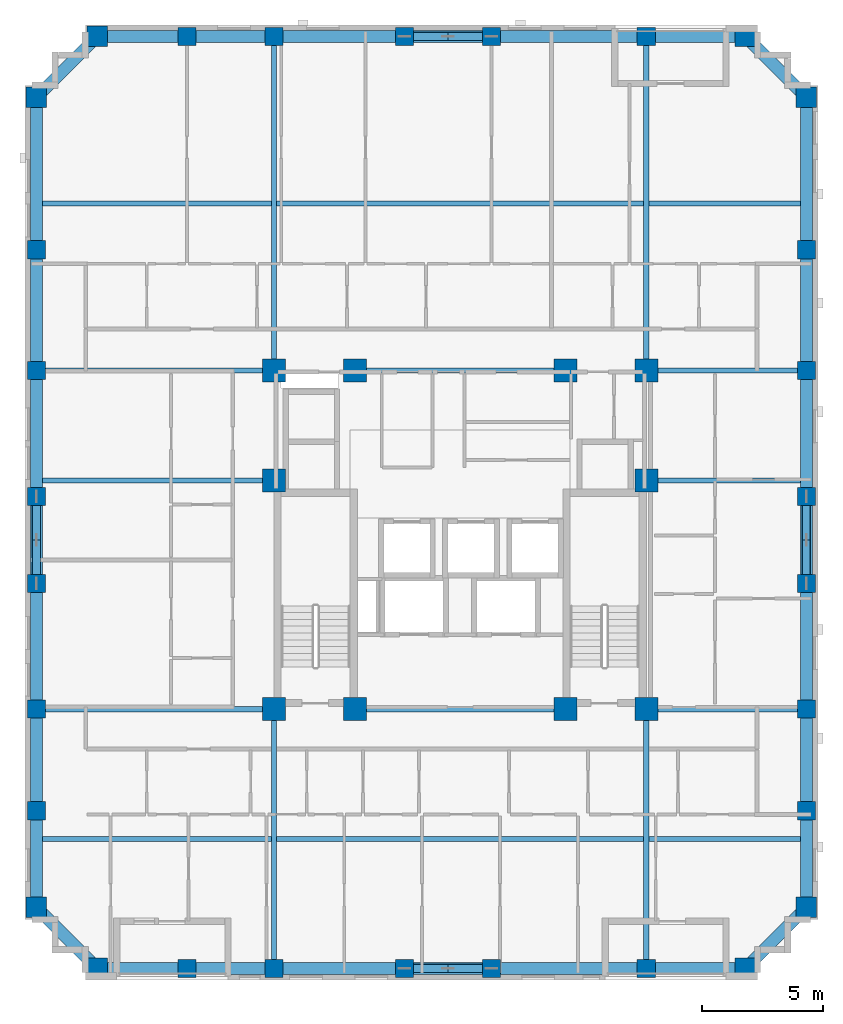
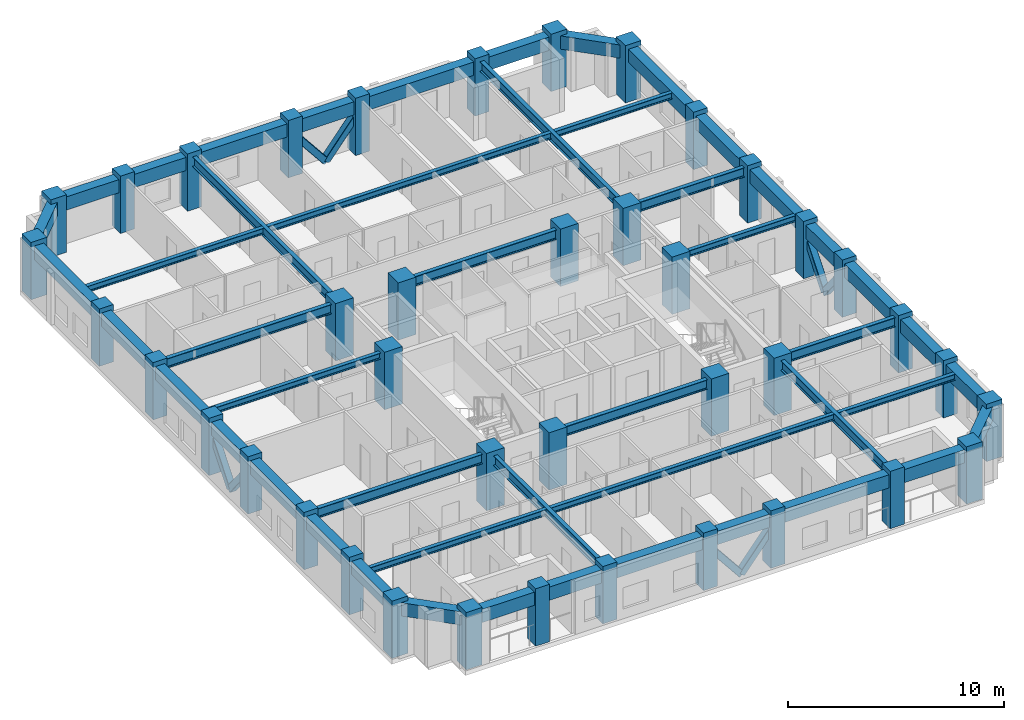
# One storey, part 1 of 12: 48 beams, 40 columns, 8 members.
"""IFC4 building model written with IfcOpenShell, lengths in metres."""

import ifcopenshell
import ifcopenshell.guid

model = None  # the IFC model being written
_history = None  # IfcOwnerHistory: only IFC2X3 demands one
_inside = {}  # id of a spatial element -> (the spatial element, [elements in it])
_under = {}  # id of a project, library or spatial element -> (it, [spatial elements below it])
_declared = {}  # id of a project -> (the project, [libraries it declares])
_typed = {}  # id of a type object -> (the type object, [elements of that type])
_made_of = {}  # id of a material, layer set ... -> (it, [elements and type objects made of it])


def new_model(schema):
    """Start an empty IFC model of exactly this schema.

    Asked for "IFC4X3", IfcOpenShell would pick the latest addendum, in which some entities
    have other attributes; the version numbers below select the first issue.
    IFC2X3 requires an IfcOwnerHistory on every rooted entity: one is made here for all.
    """
    global model, _history
    if schema == "IFC4X3":
        model = ifcopenshell.file(schema_version=(4, 3, 0, 0))
    else:
        model = ifcopenshell.file(schema=schema)
    _inside.clear()
    _under.clear()
    _declared.clear()
    _typed.clear()
    _made_of.clear()
    _history = None
    if model.schema == "IFC2X3":
        org = make("IfcOrganization", Name="unknown")
        user = make(
            "IfcPersonAndOrganization",
            ThePerson=make("IfcPerson", FamilyName="unknown"),
            TheOrganization=org,
        )
        app = make(
            "IfcApplication",
            ApplicationDeveloper=org,
            Version="unknown",
            ApplicationFullName="unknown",
            ApplicationIdentifier="unknown",
        )
        _history = make(
            "IfcOwnerHistory",
            OwningUser=user,
            OwningApplication=app,
            ChangeAction="ADDED",
            CreationDate=0,
        )
    return model


def make(cls, **values):
    """One entity of the class cls with the attributes given. An attribute that is None is left unset."""
    return model.create_entity(
        cls, **{name: value for name, value in values.items() if value is not None}
    )


def rooted(cls, **values):
    """An entity with a GlobalId (a new one), such as an element, a storey or a relation."""
    return make(cls, GlobalId=ifcopenshell.guid.new(), OwnerHistory=_history, **values)


def si_unit(unit_type, name, prefix=None):
    """IfcSIUnit, for example si_unit("LENGTHUNIT", "METRE", prefix="MILLI")."""
    return make("IfcSIUnit", UnitType=unit_type, Prefix=prefix, Name=name)


def derived_unit(unit_type, elements):
    """IfcDerivedUnit: a product of units, each with its exponent."""
    return make(
        "IfcDerivedUnit",
        Elements=[
            make("IfcDerivedUnitElement", Unit=unit, Exponent=power)
            for unit, power in elements
        ],
        UnitType=unit_type,
    )


def assignment(units):
    """IfcUnitAssignment: the units of a project."""
    return None if units is None else make("IfcUnitAssignment", Units=units)


def point(xyz):
    """IfcCartesianPoint."""
    return None if xyz is None else make("IfcCartesianPoint", Coordinates=xyz)


def direction(xyz):
    """IfcDirection."""
    return None if xyz is None else make("IfcDirection", DirectionRatios=xyz)


def frame(location, z_axis=None, x_axis=None):
    """IfcAxis2Placement3D, a coordinate frame: its origin and axes. An axis left out is left unset."""
    return make(
        "IfcAxis2Placement3D",
        Location=point(location),
        Axis=direction(z_axis),
        RefDirection=direction(x_axis),
    )


def frame_2d(location, x_axis=None):
    """IfcAxis2Placement2D, a coordinate frame in the plane: its origin and x axis."""
    return make(
        "IfcAxis2Placement2D", Location=point(location), RefDirection=direction(x_axis)
    )


def origin():
    """The frame at (0, 0, 0) with its axes left unset."""
    return frame((0.0, 0.0, 0.0))


def origin_2d():
    """The frame at (0, 0) in the plane with its x axis left unset."""
    return frame_2d((0.0, 0.0))


def place(relative_to, where):
    """IfcLocalPlacement: puts the frame where relative to a parent placement (None: the world)."""
    return make(
        "IfcLocalPlacement", PlacementRelTo=relative_to, RelativePlacement=where
    )


def context(
    kind, dimensions, precision=None, world=None, true_north=None, identifier=None
):
    """IfcGeometricRepresentationContext, for example the 3D "Model" context."""
    return make(
        "IfcGeometricRepresentationContext",
        ContextIdentifier=identifier,
        ContextType=kind,
        CoordinateSpaceDimension=dimensions,
        Precision=precision,
        WorldCoordinateSystem=world,
        TrueNorth=true_north,
    )


def subcontext(parent, identifier, kind, view, scale=None):
    """IfcGeometricRepresentationSubContext, for example "Body" below "Model"."""
    return make(
        "IfcGeometricRepresentationSubContext",
        ContextIdentifier=identifier,
        ContextType=kind,
        ParentContext=parent,
        TargetScale=scale,
        TargetView=view,
    )


def project(units=None, contexts=None):
    """IfcProject with its units and contexts."""
    return rooted(
        "IfcProject",
        Name="project",
        RepresentationContexts=contexts,
        UnitsInContext=assignment(units),
    )


def spatial(cls, under=None, at=None, **own):
    """A site, building, storey or space (cls), placed at a placement, below another one or the project."""
    s = rooted(cls, ObjectPlacement=at, **own)
    if under is not None:
        _under.setdefault(under.id(), (under, []))[1].append(s)
    return s


def profile(cls, at=None, kind="AREA", **sizes):
    """A parametric profile (cls). Its sizes go by their IFC names, for example OverallWidth=200.0."""
    return make(cls, ProfileType=kind, Position=at, **sizes)


def rectangle(**sizes):
    """IfcRectangleProfileDef."""
    return profile("IfcRectangleProfileDef", **sizes)


def hollow_rectangle(**sizes):
    """IfcRectangleHollowProfileDef."""
    return profile("IfcRectangleHollowProfileDef", **sizes)


def i_section(**sizes):
    """IfcIShapeProfileDef."""
    return profile("IfcIShapeProfileDef", **sizes)


def extrude(swept, where, along, depth):
    """IfcExtrudedAreaSolid: the profile swept, set in the frame where, extruded along a direction by depth."""
    return make(
        "IfcExtrudedAreaSolid",
        SweptArea=swept,
        Position=where,
        ExtrudedDirection=direction(along),
        Depth=depth,
    )


def shape(context_of_items, identifier, shape_type, items):
    """IfcShapeRepresentation: the items that make up one representation, for example the "Body"."""
    return make(
        "IfcShapeRepresentation",
        ContextOfItems=context_of_items,
        RepresentationIdentifier=identifier,
        RepresentationType=shape_type,
        Items=items,
    )


def material(Name=None, Category=None):
    """IfcMaterial."""
    return make("IfcMaterial", Name=Name, Category=Category)


def material_profile(
    of_material, cross_section, Name=None, Category=None, Priority=None
):
    """IfcMaterialProfile: a cross section and its material."""
    return make(
        "IfcMaterialProfile",
        Name=Name,
        Material=of_material,
        Profile=cross_section,
        Priority=Priority,
        Category=Category,
    )


def profile_set(profiles, Name=None, composite=None):
    """IfcMaterialProfileSet."""
    return make(
        "IfcMaterialProfileSet",
        Name=Name,
        MaterialProfiles=profiles,
        CompositeProfile=composite,
    )


def made_of(thing, what):
    """Note that an element or type object is made of a material, layer set ...; save() writes the relation."""
    if what is not None:
        _made_of.setdefault(what.id(), (what, []))[1].append(thing)
    return thing


def type_object(cls, material=None, **own):
    """A type object (cls), such as IfcWallType, which elements share."""
    return made_of(rooted(cls, **own), material)


def element(
    cls,
    number,
    at=None,
    inside=None,
    cuts=None,
    type_object=None,
    material=None,
    context=None,
    identifier="Body",
    shape_type=None,
    held_by="IfcProductDefinitionShape",
    body=None,
    shapes=None,
    **own,
):
    """One element of the class cls, such as IfcWall. Its Tag is "e" and its number.

    at: its placement. inside: the storey or other place that contains it. cuts: it is an
    opening in that element (IfcRelVoidsElement). A single representation is given by context,
    identifier, shape_type and body (its items); several are given by shapes. held_by: the class
    of the entity that holds the representations. save() writes the other relations.
    """
    e = rooted(cls, Tag="e%d" % number, ObjectPlacement=at, **own)
    if body is not None:
        shapes = [shape(context, identifier, shape_type, body)]
    if shapes is not None:
        e.Representation = make(held_by, Representations=shapes)
    if inside is not None:
        _inside.setdefault(inside.id(), (inside, []))[1].append(e)
    if cuts is not None:
        rooted(
            "IfcRelVoidsElement", RelatingBuildingElement=cuts, RelatedOpeningElement=e
        )
    if type_object is not None:
        _typed.setdefault(type_object.id(), (type_object, []))[1].append(e)
    return made_of(e, material)


def aggregate(whole, parts):
    """IfcRelAggregates: a whole, such as a stair, and the parts it consists of."""
    return rooted("IfcRelAggregates", RelatingObject=whole, RelatedObjects=parts)


def save(model, path):
    """Write the relations noted so far, then the file.

    IfcRelAggregates (storeys below a building ...), IfcRelContainedInSpatialStructure (elements
    in a storey), IfcRelDefinesByType, IfcRelAssociatesMaterial and IfcRelDeclares: one each for
    every whole, place, type object, material and project.
    """
    for whole, parts in _under.values():
        aggregate(whole, parts)
    for where, things in _inside.values():
        rooted(
            "IfcRelContainedInSpatialStructure",
            RelatedElements=things,
            RelatingStructure=where,
        )
    for kind, things in _typed.values():
        rooted("IfcRelDefinesByType", RelatedObjects=things, RelatingType=kind)
    for what, things in _made_of.values():
        rooted("IfcRelAssociatesMaterial", RelatedObjects=things, RelatingMaterial=what)
    for by, libraries in _declared.values():
        rooted("IfcRelDeclares", RelatingContext=by, RelatedDefinitions=libraries)
    model.write(path)


model = new_model("IFC4")

# Units and contexts
model_context = context("Model", 3, precision=1e-05, world=origin(), true_north=direction((0.0, 1.0)))
body_context = subcontext(model_context, "Body", "Model", "MODEL_VIEW")
ifc_project = project(units=[si_unit("LENGTHUNIT", "METRE"), si_unit("AREAUNIT", "SQUARE_METRE"), si_unit("VOLUMEUNIT", "CUBIC_METRE"), si_unit("PLANEANGLEUNIT", "RADIAN"), si_unit("MASSUNIT", "GRAM", prefix="KILO"), derived_unit("THERMALTRANSMITTANCEUNIT", [(si_unit("MASSUNIT", "GRAM", prefix="KILO"), 1), (si_unit("TIMEUNIT", "SECOND"), -3), (si_unit("THERMODYNAMICTEMPERATUREUNIT", "KELVIN"), -1)])], contexts=[model_context])

# Site, building, storey
site_placement = place(None, origin())
site = spatial("IfcSite", under=ifc_project, at=site_placement, CompositionType="ELEMENT")
building_placement = place(site_placement, origin())
building = spatial("IfcBuilding", under=site, at=building_placement, Name="Korrvale Station Residences", CompositionType="ELEMENT")
storey_placement = place(building_placement, frame((0.0, 0.0, 130.89990234375)))
storey = spatial("IfcBuildingStorey", under=building, at=storey_placement, Name="L37", CompositionType="ELEMENT", Elevation=130.89990234375)

# Columns
ifc_material_1 = material(Name="Concrete C60/75", Category="concrete")
ifc_material_profile_1 = material_profile(ifc_material_1, rectangle(XDim=0.75, YDim=0.75, at=origin_2d()), Name="RC750x750")
ifc_profile_set_1 = profile_set([ifc_material_profile_1], Name="Concrete C60/75")
column_type_1 = type_object("IfcColumnType", Name="COL-C-RC750x750-C6075", PredefinedType="COLUMN", material=ifc_profile_set_1)
for number, where, z_axis, x_axis, name in (
    (1, (14.199951171875, 4.280029296875, 0.0), (0.0, 0.0, 1.0), (1.0, 0.0, 0.0), "L37 Bundled-Tube South Column 02"),
    (2, (17.800048828125, 4.280029296875, 0.0), (0.0, 0.0, 1.0), (1.0, 0.0, 0.0), "L37 Bundled-Tube South Column 03"),
    (3, (23.199951171875, 4.280029296875, 0.0), (0.0, 0.0, 1.0), (1.0, 0.0, 0.0), "L37 Bundled-Tube South Column 04"),
    (4, (26.800048828125, 4.280029296875, 0.0), (0.0, 0.0, 1.0), (1.0, 0.0, 0.0), "L37 Bundled-Tube South Column 05"),
    (5, (33.199951171875, 4.280029296875, 0.0), (0.0, 0.0, 1.0), (1.0, 0.0, 0.0), "L37 Bundled-Tube South Column 06"),
    (6, (14.199951171875, 42.820068359375, 0.0), (0.0, 0.0, 1.0), (1.0, 0.0, 0.0), "L37 Bundled-Tube North Column 09"),
    (7, (17.800048828125, 42.820068359375, 0.0), (0.0, 0.0, 1.0), (1.0, 0.0, 0.0), "L37 Bundled-Tube North Column 10"),
    (8, (23.199951171875, 42.820068359375, 0.0), (0.0, 0.0, 1.0), (1.0, 0.0, 0.0), "L37 Bundled-Tube North Column 11"),
    (9, (26.800048828125, 42.820068359375, 0.0), (0.0, 0.0, 1.0), (1.0, 0.0, 0.0), "L37 Bundled-Tube North Column 12"),
    (10, (33.199951171875, 42.820068359375, 0.0), (0.0, 0.0, 1.0), (1.0, 0.0, 0.0), "L37 Bundled-Tube North Column 13"),
    (11, (7.97998046875, 10.800048828125, 0.0), (0.0, 0.0, 1.0), (1.0, 0.0, 0.0), "L37 Bundled-Tube West Column 16"),
    (12, (7.97998046875, 15.0, 0.0), (0.0, 0.0, 1.0), (1.0, 0.0, 0.0), "L37 Bundled-Tube West Column 17"),
    (13, (7.97998046875, 20.199951171875, 0.0), (0.0, 0.0, 1.0), (1.0, 0.0, 0.0), "L37 Bundled-Tube West Column 18"),
    (14, (7.97998046875, 23.800048828125, 0.0), (0.0, 0.0, 1.0), (1.0, 0.0, 0.0), "L37 Bundled-Tube West Column 19"),
    (15, (7.97998046875, 29.0, 0.0), (0.0, 0.0, 1.0), (1.0, 0.0, 0.0), "L37 Bundled-Tube West Column 20"),
    (16, (7.97998046875, 34.0, 0.0), (0.0, 0.0, 1.0), (1.0, 0.0, 0.0), "L37 Bundled-Tube West Column 21"),
    (17, (39.820068359375, 10.800048828125, 0.0), (0.0, 0.0, 1.0), (1.0, 0.0, 0.0), "L37 Bundled-Tube East Column 24"),
    (18, (39.820068359375, 15.0, 0.0), (0.0, 0.0, 1.0), (1.0, 0.0, 0.0), "L37 Bundled-Tube East Column 25"),
    (19, (39.820068359375, 20.199951171875, 0.0), (0.0, 0.0, 1.0), (1.0, 0.0, 0.0), "L37 Bundled-Tube East Column 26"),
    (20, (39.820068359375, 23.800048828125, 0.0), (0.0, 0.0, 1.0), (1.0, 0.0, 0.0), "L37 Bundled-Tube East Column 27"),
    (21, (39.820068359375, 29.0, 0.0), (0.0, 0.0, 1.0), (1.0, 0.0, 0.0), "L37 Bundled-Tube East Column 28"),
    (22, (39.820068359375, 34.0, 0.0), (0.0, 0.0, 1.0), (1.0, 0.0, 0.0), "L37 Bundled-Tube East Column 29"),
):
    element("IfcColumn", number, at=place(storey_placement, frame(where, z_axis=z_axis, x_axis=x_axis)), inside=storey, type_object=column_type_1, Name=name, PredefinedType="COLUMN", context=body_context, shape_type="SweptSolid", body=[
        extrude(rectangle(XDim=0.75, YDim=0.75, at=origin_2d()), origin(), (0.0, 0.0, 1.0), 3.25),
    ])
ifc_material_profile_2 = material_profile(ifc_material_1, rectangle(XDim=0.85009765625, YDim=0.85009765625, at=origin_2d()), Name="RC850x850")
ifc_profile_set_2 = profile_set([ifc_material_profile_2], Name="Concrete C60/75")
column_type_2 = type_object("IfcColumnType", Name="COL-C-RC850x850-C6075", PredefinedType="COLUMN", material=ifc_profile_set_2)
for number, where, z_axis, x_axis, name in (
    (23, (10.5, 4.280029296875, 0.0), (0.0, 0.0, 1.0), (1.0, 0.0, 0.0), "L37 Bundled-Tube South Column 01"),
    (24, (37.300048828125, 4.280029296875, 0.0), (0.0, 0.0, 1.0), (1.0, 0.0, 0.0), "L37 Bundled-Tube South Column 07"),
    (25, (10.5, 42.820068359375, 0.0), (0.0, 0.0, 1.0), (1.0, 0.0, 0.0), "L37 Bundled-Tube North Column 08"),
    (26, (37.300048828125, 42.820068359375, 0.0), (0.0, 0.0, 1.0), (1.0, 0.0, 0.0), "L37 Bundled-Tube North Column 14"),
    (27, (7.97998046875, 6.800048828125, 0.0), (0.0, 0.0, 1.0), (1.0, 0.0, 0.0), "L37 Bundled-Tube West Column 15"),
    (28, (7.97998046875, 40.300048828125, 0.0), (0.0, 0.0, 1.0), (1.0, 0.0, 0.0), "L37 Bundled-Tube West Column 22"),
    (29, (39.820068359375, 6.800048828125, 0.0), (0.0, 0.0, 1.0), (1.0, 0.0, 0.0), "L37 Bundled-Tube East Column 23"),
    (30, (39.820068359375, 40.300048828125, 0.0), (0.0, 0.0, 1.0), (1.0, 0.0, 0.0), "L37 Bundled-Tube East Column 30"),
):
    element("IfcColumn", number, at=place(storey_placement, frame(where, z_axis=z_axis, x_axis=x_axis)), inside=storey, type_object=column_type_2, Name=name, PredefinedType="COLUMN", context=body_context, shape_type="SweptSolid", body=[
        extrude(rectangle(XDim=0.85009765625, YDim=0.85009765625, at=origin_2d()), origin(), (0.0, 0.0, 1.0), 3.25),
    ])
ifc_material_profile_3 = material_profile(ifc_material_1, rectangle(XDim=0.949951171875, YDim=0.949951171875, at=origin_2d()), Name="RC950x950")
ifc_profile_set_3 = profile_set([ifc_material_profile_3], Name="Concrete C60/75")
column_type_3 = type_object("IfcColumnType", Name="COL-C-RC950x950-C6075", PredefinedType="COLUMN", material=ifc_profile_set_3)
for number, where, z_axis, x_axis, name in (
    (31, (17.800048828125, 15.0, 0.0), (0.0, 0.0, 1.0), (1.0, 0.0, 0.0), "L37 Core Column 01"),
    (32, (21.14990234375, 15.0, 0.0), (0.0, 0.0, 1.0), (1.0, 0.0, 0.0), "L37 Core Column 02"),
    (33, (29.85009765625, 15.0, 0.0), (0.0, 0.0, 1.0), (1.0, 0.0, 0.0), "L37 Core Column 03"),
    (34, (33.199951171875, 15.0, 0.0), (0.0, 0.0, 1.0), (1.0, 0.0, 0.0), "L37 Core Column 04"),
    (35, (17.800048828125, 29.0, 0.0), (0.0, 0.0, 1.0), (1.0, 0.0, 0.0), "L37 Core Column 05"),
    (36, (21.14990234375, 29.0, 0.0), (0.0, 0.0, 1.0), (1.0, 0.0, 0.0), "L37 Core Column 06"),
    (37, (29.85009765625, 29.0, 0.0), (0.0, 0.0, 1.0), (1.0, 0.0, 0.0), "L37 Core Column 07"),
    (38, (33.199951171875, 29.0, 0.0), (0.0, 0.0, 1.0), (1.0, 0.0, 0.0), "L37 Core Column 08"),
    (39, (17.800048828125, 24.449951171875, 0.0), (0.0, 0.0, 1.0), (1.0, 0.0, 0.0), "L37 Core Column 09"),
    (40, (33.199951171875, 24.449951171875, 0.0), (0.0, 0.0, 1.0), (1.0, 0.0, 0.0), "L37 Core Column 10"),
):
    element("IfcColumn", number, at=place(storey_placement, frame(where, z_axis=z_axis, x_axis=x_axis)), inside=storey, type_object=column_type_3, Name=name, PredefinedType="COLUMN", context=body_context, shape_type="SweptSolid", body=[
        extrude(rectangle(XDim=0.949951171875, YDim=0.949951171875, at=origin_2d()), origin(), (0.0, 0.0, 1.0), 3.25),
    ])

# Beams
ifc_material_2 = material(Name="Steel S355", Category="steel")
ifc_material_profile_4 = material_profile(ifc_material_2, i_section(OverallWidth=0.214111328125, OverallDepth=0.549072265625, WebThickness=0.0146484375, FlangeThickness=0.023681640625, FilletRadius=0.01806640625, at=origin_2d()), Name="W530x138")
ifc_profile_set_4 = profile_set([ifc_material_profile_4], Name="Steel S355")
beam_type_1 = type_object("IfcBeamType", Name="BM-BM-W530x138-S355", PredefinedType="BEAM", material=ifc_profile_set_4)
for number, where, z_axis, x_axis, name in (
    (41, (17.800048828125, 4.280029296875, 2.715576171875), (0.0, 1.0, 0.0), (-1.0, 0.0, 0.0), "L37 Bundled-Tube Web Girder 01"),
    (42, (33.199951171875, 4.280029296875, 2.715576171875), (0.0, 1.0, 0.0), (-1.0, 0.0, 0.0), "L37 Bundled-Tube Web Girder 02"),
):
    element("IfcBeam", number, at=place(storey_placement, frame(where, z_axis=z_axis, x_axis=x_axis)), inside=storey, type_object=beam_type_1, Name=name, PredefinedType="BEAM", context=body_context, shape_type="SweptSolid", body=[
        extrude(i_section(OverallWidth=0.214111328125, OverallDepth=0.549072265625, WebThickness=0.0146484375, FlangeThickness=0.023681640625, FilletRadius=0.01806640625, at=origin_2d()), origin(), (0.0, 0.0, 1.0), 10.719970703125),
    ])
for number, where, z_axis, x_axis, name in (
    (43, (17.800048828125, 29.0, 2.715576171875), (0.0, 1.0, 0.0), (-1.0, 0.0, 0.0), "L37 Bundled-Tube Web Girder 03"),
    (44, (33.199951171875, 29.0, 2.715576171875), (0.0, 1.0, 0.0), (-1.0, 0.0, 0.0), "L37 Bundled-Tube Web Girder 04"),
):
    element("IfcBeam", number, at=place(storey_placement, frame(where, z_axis=z_axis, x_axis=x_axis)), inside=storey, type_object=beam_type_1, Name=name, PredefinedType="BEAM", context=body_context, shape_type="SweptSolid", body=[
        extrude(i_section(OverallWidth=0.214111328125, OverallDepth=0.549072265625, WebThickness=0.0146484375, FlangeThickness=0.023681640625, FilletRadius=0.01806640625, at=origin_2d()), origin(), (0.0, 0.0, 1.0), 13.820068359375),
    ])
beam_1_placement = place(storey_placement, frame((7.97998046875, 15.0, 2.715576171875), z_axis=(1.0, 0.0, 0.0), x_axis=(0.0, 1.0, 0.0)))
element("IfcBeam", 45, at=beam_1_placement, inside=storey, type_object=beam_type_1, Name="L37 Bundled-Tube Web Girder 05", PredefinedType="BEAM", context=body_context, shape_type="SweptSolid", body=[
    extrude(i_section(OverallWidth=0.214111328125, OverallDepth=0.549072265625, WebThickness=0.0146484375, FlangeThickness=0.023681640625, FilletRadius=0.01806640625, at=origin_2d()), origin(), (0.0, 0.0, 1.0), 9.820068359375),
])
beam_2_placement = place(storey_placement, frame((33.199951171875, 15.0, 2.715576171875), z_axis=(1.0, 0.0, 0.0), x_axis=(0.0, 1.0, 0.0)))
element("IfcBeam", 46, at=beam_2_placement, inside=storey, type_object=beam_type_1, Name="L37 Bundled-Tube Web Girder 06", PredefinedType="BEAM", context=body_context, shape_type="SweptSolid", body=[
    extrude(i_section(OverallWidth=0.214111328125, OverallDepth=0.549072265625, WebThickness=0.0146484375, FlangeThickness=0.023681640625, FilletRadius=0.01806640625, at=origin_2d()), origin(), (0.0, 0.0, 1.0), 6.6201171875),
])
beam_3_placement = place(storey_placement, frame((7.97998046875, 29.0, 2.715576171875), z_axis=(1.0, 0.0, 0.0), x_axis=(0.0, 1.0, 0.0)))
element("IfcBeam", 47, at=beam_3_placement, inside=storey, type_object=beam_type_1, Name="L37 Bundled-Tube Web Girder 07", PredefinedType="BEAM", context=body_context, shape_type="SweptSolid", body=[
    extrude(i_section(OverallWidth=0.214111328125, OverallDepth=0.549072265625, WebThickness=0.0146484375, FlangeThickness=0.023681640625, FilletRadius=0.01806640625, at=origin_2d()), origin(), (0.0, 0.0, 1.0), 9.820068359375),
])
beam_4_placement = place(storey_placement, frame((33.199951171875, 29.0, 2.715576171875), z_axis=(1.0, 0.0, 0.0), x_axis=(0.0, 1.0, 0.0)))
element("IfcBeam", 48, at=beam_4_placement, inside=storey, type_object=beam_type_1, Name="L37 Bundled-Tube Web Girder 08", PredefinedType="BEAM", context=body_context, shape_type="SweptSolid", body=[
    extrude(i_section(OverallWidth=0.214111328125, OverallDepth=0.549072265625, WebThickness=0.0146484375, FlangeThickness=0.023681640625, FilletRadius=0.01806640625, at=origin_2d()), origin(), (0.0, 0.0, 1.0), 6.6201171875),
])
for number, where, z_axis, x_axis, name in (
    (49, (21.14990234375, 15.0, 2.715576171875), (1.0, 0.0, 0.0), (0.0, 1.0, 0.0), "L37 Bundled-Tube Web Girder 09"),
    (50, (21.14990234375, 29.0, 2.715576171875), (1.0, 0.0, 0.0), (0.0, 1.0, 0.0), "L37 Bundled-Tube Web Girder 10"),
):
    element("IfcBeam", number, at=place(storey_placement, frame(where, z_axis=z_axis, x_axis=x_axis)), inside=storey, type_object=beam_type_1, Name=name, PredefinedType="BEAM", context=body_context, shape_type="SweptSolid", body=[
        extrude(i_section(OverallWidth=0.214111328125, OverallDepth=0.549072265625, WebThickness=0.0146484375, FlangeThickness=0.023681640625, FilletRadius=0.01806640625, at=origin_2d()), origin(), (0.0, 0.0, 1.0), 8.7001953125),
    ])
ifc_material_profile_5 = material_profile(ifc_material_2, i_section(OverallWidth=0.205078125, OverallDepth=0.35400390625, WebThickness=0.009521484375, FlangeThickness=0.016845703125, FilletRadius=0.014892578125, at=origin_2d()), Name="W360x79")
ifc_profile_set_5 = profile_set([ifc_material_profile_5], Name="Steel S355")
beam_type_2 = type_object("IfcBeamType", Name="BM-JST-W360x79-S355", PredefinedType="JOIST", material=ifc_profile_set_5)
beam_5_placement = place(storey_placement, frame((8.22998046875, 9.639892578125, 2.81298828125), z_axis=(1.0, 0.0, 0.0), x_axis=(0.0, 1.0, 0.0)))
element("IfcBeam", 51, at=beam_5_placement, inside=storey, type_object=beam_type_2, Name="L37 Floor Framing Joist 01", PredefinedType="JOIST", context=body_context, shape_type="SweptSolid", body=[
    extrude(i_section(OverallWidth=0.205078125, OverallDepth=0.35400390625, WebThickness=0.009521484375, FlangeThickness=0.016845703125, FilletRadius=0.014892578125, at=origin_2d()), origin(), (0.0, 0.0, 1.0), 9.463134765625),
])
beam_6_placement = place(storey_placement, frame((17.906982421875, 9.639892578125, 2.81298828125), z_axis=(1.0, 0.0, 0.0), x_axis=(0.0, 1.0, 0.0)))
element("IfcBeam", 52, at=beam_6_placement, inside=storey, type_object=beam_type_2, Name="L37 Floor Framing Joist 02", PredefinedType="JOIST", context=body_context, shape_type="SweptSolid", body=[
    extrude(i_section(OverallWidth=0.205078125, OverallDepth=0.35400390625, WebThickness=0.009521484375, FlangeThickness=0.016845703125, FilletRadius=0.014892578125, at=origin_2d()), origin(), (0.0, 0.0, 1.0), 15.18603515625),
])
beam_7_placement = place(storey_placement, frame((33.306884765625, 9.639892578125, 2.81298828125), z_axis=(1.0, 0.0, 0.0), x_axis=(0.0, 1.0, 0.0)))
element("IfcBeam", 53, at=beam_7_placement, inside=storey, type_object=beam_type_2, Name="L37 Floor Framing Joist 03", PredefinedType="JOIST", context=body_context, shape_type="SweptSolid", body=[
    extrude(i_section(OverallWidth=0.205078125, OverallDepth=0.35400390625, WebThickness=0.009521484375, FlangeThickness=0.016845703125, FilletRadius=0.014892578125, at=origin_2d()), origin(), (0.0, 0.0, 1.0), 6.26318359375),
])
beam_8_placement = place(storey_placement, frame((8.22998046875, 35.909912109375, 2.81298828125), z_axis=(1.0, 0.0, 0.0), x_axis=(0.0, 1.0, 0.0)))
element("IfcBeam", 54, at=beam_8_placement, inside=storey, type_object=beam_type_2, Name="L37 Floor Framing Joist 04", PredefinedType="JOIST", context=body_context, shape_type="SweptSolid", body=[
    extrude(i_section(OverallWidth=0.205078125, OverallDepth=0.35400390625, WebThickness=0.009521484375, FlangeThickness=0.016845703125, FilletRadius=0.014892578125, at=origin_2d()), origin(), (0.0, 0.0, 1.0), 9.463134765625),
])
beam_9_placement = place(storey_placement, frame((17.906982421875, 35.909912109375, 2.81298828125), z_axis=(1.0, 0.0, 0.0), x_axis=(0.0, 1.0, 0.0)))
element("IfcBeam", 55, at=beam_9_placement, inside=storey, type_object=beam_type_2, Name="L37 Floor Framing Joist 05", PredefinedType="JOIST", context=body_context, shape_type="SweptSolid", body=[
    extrude(i_section(OverallWidth=0.205078125, OverallDepth=0.35400390625, WebThickness=0.009521484375, FlangeThickness=0.016845703125, FilletRadius=0.014892578125, at=origin_2d()), origin(), (0.0, 0.0, 1.0), 15.18603515625),
])
beam_10_placement = place(storey_placement, frame((33.306884765625, 35.909912109375, 2.81298828125), z_axis=(1.0, 0.0, 0.0), x_axis=(0.0, 1.0, 0.0)))
element("IfcBeam", 56, at=beam_10_placement, inside=storey, type_object=beam_type_2, Name="L37 Floor Framing Joist 06", PredefinedType="JOIST", context=body_context, shape_type="SweptSolid", body=[
    extrude(i_section(OverallWidth=0.205078125, OverallDepth=0.35400390625, WebThickness=0.009521484375, FlangeThickness=0.016845703125, FilletRadius=0.014892578125, at=origin_2d()), origin(), (0.0, 0.0, 1.0), 6.26318359375),
])
beam_11_placement = place(storey_placement, frame((33.199951171875, 24.449951171875, 2.81298828125), z_axis=(1.0, 0.0, 0.0), x_axis=(0.0, 1.0, 0.0)))
element("IfcBeam", 57, at=beam_11_placement, inside=storey, type_object=beam_type_2, Name="L37 Floor Framing Joist 07", PredefinedType="JOIST", context=body_context, shape_type="SweptSolid", body=[
    extrude(i_section(OverallWidth=0.205078125, OverallDepth=0.35400390625, WebThickness=0.009521484375, FlangeThickness=0.016845703125, FilletRadius=0.014892578125, at=origin_2d()), origin(), (0.0, 0.0, 1.0), 6.3701171875),
])
beam_12_placement = place(storey_placement, frame((8.22998046875, 24.449951171875, 2.81298828125), z_axis=(1.0, 0.0, 0.0), x_axis=(0.0, 1.0, 0.0)))
element("IfcBeam", 58, at=beam_12_placement, inside=storey, type_object=beam_type_2, Name="L37 Floor Framing Joist 08", PredefinedType="JOIST", context=body_context, shape_type="SweptSolid", body=[
    extrude(i_section(OverallWidth=0.205078125, OverallDepth=0.35400390625, WebThickness=0.009521484375, FlangeThickness=0.016845703125, FilletRadius=0.014892578125, at=origin_2d()), origin(), (0.0, 0.0, 1.0), 9.570068359375),
])
ifc_material_profile_6 = material_profile(ifc_material_1, rectangle(XDim=0.5, YDim=0.75, at=origin_2d()), Name="RCB500x750")
ifc_profile_set_6 = profile_set([ifc_material_profile_6], Name="Concrete C60/75")
beam_type_3 = type_object("IfcBeamType", Name="BM-SPB-RCB500x750-C6075", PredefinedType="SPANDREL", material=ifc_profile_set_6)
beam_13_placement = place(storey_placement, frame((10.5, 4.280029296875, 2.614990234375), z_axis=(1.0, 0.0, 0.0), x_axis=(0.0, 1.0, 0.0)))
element("IfcBeam", 59, at=beam_13_placement, inside=storey, type_object=beam_type_3, Name="L37 South Tube Spandrel 01", PredefinedType="SPANDREL", context=body_context, shape_type="SweptSolid", body=[
    extrude(rectangle(XDim=0.5, YDim=0.75, at=origin_2d()), origin(), (0.0, 0.0, 1.0), 3.699951171875),
])
beam_14_placement = place(storey_placement, frame((14.199951171875, 4.280029296875, 2.614990234375), z_axis=(1.0, 0.0, 0.0), x_axis=(0.0, 1.0, 0.0)))
element("IfcBeam", 60, at=beam_14_placement, inside=storey, type_object=beam_type_3, Name="L37 South Tube Spandrel 02", PredefinedType="SPANDREL", context=body_context, shape_type="SweptSolid", body=[
    extrude(rectangle(XDim=0.5, YDim=0.75, at=origin_2d()), origin(), (0.0, 0.0, 1.0), 3.60009765625),
])
beam_15_placement = place(storey_placement, frame((17.800048828125, 4.280029296875, 2.614990234375), z_axis=(1.0, 0.0, 0.0), x_axis=(0.0, 1.0, 0.0)))
element("IfcBeam", 61, at=beam_15_placement, inside=storey, type_object=beam_type_3, Name="L37 South Tube Spandrel 03", PredefinedType="SPANDREL", context=body_context, shape_type="SweptSolid", body=[
    extrude(rectangle(XDim=0.5, YDim=0.75, at=origin_2d()), origin(), (0.0, 0.0, 1.0), 5.39990234375),
])
beam_16_placement = place(storey_placement, frame((23.199951171875, 4.280029296875, 2.614990234375), z_axis=(1.0, 0.0, 0.0), x_axis=(0.0, 1.0, 0.0)))
element("IfcBeam", 62, at=beam_16_placement, inside=storey, type_object=beam_type_3, Name="L37 South Tube Spandrel 04", PredefinedType="SPANDREL", context=body_context, shape_type="SweptSolid", body=[
    extrude(rectangle(XDim=0.5, YDim=0.75, at=origin_2d()), origin(), (0.0, 0.0, 1.0), 3.60009765625),
])
beam_17_placement = place(storey_placement, frame((26.800048828125, 4.280029296875, 2.614990234375), z_axis=(1.0, 0.0, 0.0), x_axis=(0.0, 1.0, 0.0)))
element("IfcBeam", 63, at=beam_17_placement, inside=storey, type_object=beam_type_3, Name="L37 South Tube Spandrel 05", PredefinedType="SPANDREL", context=body_context, shape_type="SweptSolid", body=[
    extrude(rectangle(XDim=0.5, YDim=0.75, at=origin_2d()), origin(), (0.0, 0.0, 1.0), 6.39990234375),
])
beam_18_placement = place(storey_placement, frame((33.199951171875, 4.280029296875, 2.614990234375), z_axis=(1.0, 0.0, 0.0), x_axis=(0.0, 1.0, 0.0)))
element("IfcBeam", 64, at=beam_18_placement, inside=storey, type_object=beam_type_3, Name="L37 South Tube Spandrel 06", PredefinedType="SPANDREL", context=body_context, shape_type="SweptSolid", body=[
    extrude(rectangle(XDim=0.5, YDim=0.75, at=origin_2d()), origin(), (0.0, 0.0, 1.0), 4.10009765625),
])
beam_19_placement = place(storey_placement, frame((10.5, 42.820068359375, 2.614990234375), z_axis=(1.0, 0.0, 0.0), x_axis=(0.0, 1.0, 0.0)))
element("IfcBeam", 65, at=beam_19_placement, inside=storey, type_object=beam_type_3, Name="L37 North Tube Spandrel 07", PredefinedType="SPANDREL", context=body_context, shape_type="SweptSolid", body=[
    extrude(rectangle(XDim=0.5, YDim=0.75, at=origin_2d()), origin(), (0.0, 0.0, 1.0), 3.699951171875),
])
beam_20_placement = place(storey_placement, frame((14.199951171875, 42.820068359375, 2.614990234375), z_axis=(1.0, 0.0, 0.0), x_axis=(0.0, 1.0, 0.0)))
element("IfcBeam", 66, at=beam_20_placement, inside=storey, type_object=beam_type_3, Name="L37 North Tube Spandrel 08", PredefinedType="SPANDREL", context=body_context, shape_type="SweptSolid", body=[
    extrude(rectangle(XDim=0.5, YDim=0.75, at=origin_2d()), origin(), (0.0, 0.0, 1.0), 3.60009765625),
])
beam_21_placement = place(storey_placement, frame((17.800048828125, 42.820068359375, 2.614990234375), z_axis=(1.0, 0.0, 0.0), x_axis=(0.0, 1.0, 0.0)))
element("IfcBeam", 67, at=beam_21_placement, inside=storey, type_object=beam_type_3, Name="L37 North Tube Spandrel 09", PredefinedType="SPANDREL", context=body_context, shape_type="SweptSolid", body=[
    extrude(rectangle(XDim=0.5, YDim=0.75, at=origin_2d()), origin(), (0.0, 0.0, 1.0), 5.39990234375),
])
beam_22_placement = place(storey_placement, frame((23.199951171875, 42.820068359375, 2.614990234375), z_axis=(1.0, 0.0, 0.0), x_axis=(0.0, 1.0, 0.0)))
element("IfcBeam", 68, at=beam_22_placement, inside=storey, type_object=beam_type_3, Name="L37 North Tube Spandrel 10", PredefinedType="SPANDREL", context=body_context, shape_type="SweptSolid", body=[
    extrude(rectangle(XDim=0.5, YDim=0.75, at=origin_2d()), origin(), (0.0, 0.0, 1.0), 3.60009765625),
])
beam_23_placement = place(storey_placement, frame((26.800048828125, 42.820068359375, 2.614990234375), z_axis=(1.0, 0.0, 0.0), x_axis=(0.0, 1.0, 0.0)))
element("IfcBeam", 69, at=beam_23_placement, inside=storey, type_object=beam_type_3, Name="L37 North Tube Spandrel 11", PredefinedType="SPANDREL", context=body_context, shape_type="SweptSolid", body=[
    extrude(rectangle(XDim=0.5, YDim=0.75, at=origin_2d()), origin(), (0.0, 0.0, 1.0), 6.39990234375),
])
beam_24_placement = place(storey_placement, frame((33.199951171875, 42.820068359375, 2.614990234375), z_axis=(1.0, 0.0, 0.0), x_axis=(0.0, 1.0, 0.0)))
element("IfcBeam", 70, at=beam_24_placement, inside=storey, type_object=beam_type_3, Name="L37 North Tube Spandrel 12", PredefinedType="SPANDREL", context=body_context, shape_type="SweptSolid", body=[
    extrude(rectangle(XDim=0.5, YDim=0.75, at=origin_2d()), origin(), (0.0, 0.0, 1.0), 4.10009765625),
])
beam_25_placement = place(storey_placement, frame((7.97998046875, 6.800048828125, 2.614990234375), z_axis=(0.0, 1.0, 0.0), x_axis=(-1.0, 0.0, 0.0)))
element("IfcBeam", 71, at=beam_25_placement, inside=storey, type_object=beam_type_3, Name="L37 West Tube Spandrel 13", PredefinedType="SPANDREL", context=body_context, shape_type="SweptSolid", body=[
    extrude(rectangle(XDim=0.5, YDim=0.75, at=origin_2d()), origin(), (0.0, 0.0, 1.0), 4.0),
])
beam_26_placement = place(storey_placement, frame((7.97998046875, 10.800048828125, 2.614990234375), z_axis=(0.0, 1.0, 0.0), x_axis=(-1.0, 0.0, 0.0)))
element("IfcBeam", 72, at=beam_26_placement, inside=storey, type_object=beam_type_3, Name="L37 West Tube Spandrel 14", PredefinedType="SPANDREL", context=body_context, shape_type="SweptSolid", body=[
    extrude(rectangle(XDim=0.5, YDim=0.75, at=origin_2d()), origin(), (0.0, 0.0, 1.0), 4.199951171875),
])
beam_27_placement = place(storey_placement, frame((7.97998046875, 15.0, 2.614990234375), z_axis=(0.0, 1.0, 0.0), x_axis=(-1.0, 0.0, 0.0)))
element("IfcBeam", 73, at=beam_27_placement, inside=storey, type_object=beam_type_3, Name="L37 West Tube Spandrel 15", PredefinedType="SPANDREL", context=body_context, shape_type="SweptSolid", body=[
    extrude(rectangle(XDim=0.5, YDim=0.75, at=origin_2d()), origin(), (0.0, 0.0, 1.0), 5.199951171875),
])
beam_28_placement = place(storey_placement, frame((7.97998046875, 20.199951171875, 2.614990234375), z_axis=(0.0, 1.0, 0.0), x_axis=(-1.0, 0.0, 0.0)))
element("IfcBeam", 74, at=beam_28_placement, inside=storey, type_object=beam_type_3, Name="L37 West Tube Spandrel 16", PredefinedType="SPANDREL", context=body_context, shape_type="SweptSolid", body=[
    extrude(rectangle(XDim=0.5, YDim=0.75, at=origin_2d()), origin(), (0.0, 0.0, 1.0), 3.60009765625),
])
beam_29_placement = place(storey_placement, frame((7.97998046875, 23.800048828125, 2.614990234375), z_axis=(0.0, 1.0, 0.0), x_axis=(-1.0, 0.0, 0.0)))
element("IfcBeam", 75, at=beam_29_placement, inside=storey, type_object=beam_type_3, Name="L37 West Tube Spandrel 17", PredefinedType="SPANDREL", context=body_context, shape_type="SweptSolid", body=[
    extrude(rectangle(XDim=0.5, YDim=0.75, at=origin_2d()), origin(), (0.0, 0.0, 1.0), 5.199951171875),
])
beam_30_placement = place(storey_placement, frame((7.97998046875, 29.0, 2.614990234375), z_axis=(0.0, 1.0, 0.0), x_axis=(-1.0, 0.0, 0.0)))
element("IfcBeam", 76, at=beam_30_placement, inside=storey, type_object=beam_type_3, Name="L37 West Tube Spandrel 18", PredefinedType="SPANDREL", context=body_context, shape_type="SweptSolid", body=[
    extrude(rectangle(XDim=0.5, YDim=0.75, at=origin_2d()), origin(), (0.0, 0.0, 1.0), 5.0),
])
beam_31_placement = place(storey_placement, frame((7.97998046875, 34.0, 2.614990234375), z_axis=(0.0, 1.0, 0.0), x_axis=(-1.0, 0.0, 0.0)))
element("IfcBeam", 77, at=beam_31_placement, inside=storey, type_object=beam_type_3, Name="L37 West Tube Spandrel 19", PredefinedType="SPANDREL", context=body_context, shape_type="SweptSolid", body=[
    extrude(rectangle(XDim=0.5, YDim=0.75, at=origin_2d()), origin(), (0.0, 0.0, 1.0), 6.300048828125),
])
beam_32_placement = place(storey_placement, frame((39.820068359375, 6.800048828125, 2.614990234375), z_axis=(0.0, 1.0, 0.0), x_axis=(-1.0, 0.0, 0.0)))
element("IfcBeam", 78, at=beam_32_placement, inside=storey, type_object=beam_type_3, Name="L37 East Tube Spandrel 20", PredefinedType="SPANDREL", context=body_context, shape_type="SweptSolid", body=[
    extrude(rectangle(XDim=0.5, YDim=0.75, at=origin_2d()), origin(), (0.0, 0.0, 1.0), 4.0),
])
beam_33_placement = place(storey_placement, frame((39.820068359375, 10.800048828125, 2.614990234375), z_axis=(0.0, 1.0, 0.0), x_axis=(-1.0, 0.0, 0.0)))
element("IfcBeam", 79, at=beam_33_placement, inside=storey, type_object=beam_type_3, Name="L37 East Tube Spandrel 21", PredefinedType="SPANDREL", context=body_context, shape_type="SweptSolid", body=[
    extrude(rectangle(XDim=0.5, YDim=0.75, at=origin_2d()), origin(), (0.0, 0.0, 1.0), 4.199951171875),
])
beam_34_placement = place(storey_placement, frame((39.820068359375, 15.0, 2.614990234375), z_axis=(0.0, 1.0, 0.0), x_axis=(-1.0, 0.0, 0.0)))
element("IfcBeam", 80, at=beam_34_placement, inside=storey, type_object=beam_type_3, Name="L37 East Tube Spandrel 22", PredefinedType="SPANDREL", context=body_context, shape_type="SweptSolid", body=[
    extrude(rectangle(XDim=0.5, YDim=0.75, at=origin_2d()), origin(), (0.0, 0.0, 1.0), 5.199951171875),
])
beam_35_placement = place(storey_placement, frame((39.820068359375, 20.199951171875, 2.614990234375), z_axis=(0.0, 1.0, 0.0), x_axis=(-1.0, 0.0, 0.0)))
element("IfcBeam", 81, at=beam_35_placement, inside=storey, type_object=beam_type_3, Name="L37 East Tube Spandrel 23", PredefinedType="SPANDREL", context=body_context, shape_type="SweptSolid", body=[
    extrude(rectangle(XDim=0.5, YDim=0.75, at=origin_2d()), origin(), (0.0, 0.0, 1.0), 3.60009765625),
])
beam_36_placement = place(storey_placement, frame((39.820068359375, 23.800048828125, 2.614990234375), z_axis=(0.0, 1.0, 0.0), x_axis=(-1.0, 0.0, 0.0)))
element("IfcBeam", 82, at=beam_36_placement, inside=storey, type_object=beam_type_3, Name="L37 East Tube Spandrel 24", PredefinedType="SPANDREL", context=body_context, shape_type="SweptSolid", body=[
    extrude(rectangle(XDim=0.5, YDim=0.75, at=origin_2d()), origin(), (0.0, 0.0, 1.0), 5.199951171875),
])
beam_37_placement = place(storey_placement, frame((39.820068359375, 29.0, 2.614990234375), z_axis=(0.0, 1.0, 0.0), x_axis=(-1.0, 0.0, 0.0)))
element("IfcBeam", 83, at=beam_37_placement, inside=storey, type_object=beam_type_3, Name="L37 East Tube Spandrel 25", PredefinedType="SPANDREL", context=body_context, shape_type="SweptSolid", body=[
    extrude(rectangle(XDim=0.5, YDim=0.75, at=origin_2d()), origin(), (0.0, 0.0, 1.0), 5.0),
])
beam_38_placement = place(storey_placement, frame((39.820068359375, 34.0, 2.614990234375), z_axis=(0.0, 1.0, 0.0), x_axis=(-1.0, 0.0, 0.0)))
element("IfcBeam", 84, at=beam_38_placement, inside=storey, type_object=beam_type_3, Name="L37 East Tube Spandrel 26", PredefinedType="SPANDREL", context=body_context, shape_type="SweptSolid", body=[
    extrude(rectangle(XDim=0.5, YDim=0.75, at=origin_2d()), origin(), (0.0, 0.0, 1.0), 6.300048828125),
])
for number, where, z_axis, x_axis, name in (
    (85, (10.5, 4.280029296875, 2.614990234375), (-0.707106781187, 0.707106781187, 0.0), (-0.707106781187, -0.707106781187, 0.0), "L37 Serrated Corner Spandrel 27"),
    (86, (37.300048828125, 4.280029296875, 2.614990234375), (0.707106781187, 0.707106781187, 0.0), (-0.707106781187, 0.707106781187, 0.0), "L37 Serrated Corner Spandrel 28"),
    (87, (37.300048828125, 42.820068359375, 2.614990234375), (0.707106781187, -0.707106781187, 0.0), (0.707106781187, 0.707106781187, 0.0), "L37 Serrated Corner Spandrel 29"),
    (88, (10.5, 42.820068359375, 2.614990234375), (-0.707106781187, -0.707106781187, 0.0), (0.707106781187, -0.707106781187, 0.0), "L37 Serrated Corner Spandrel 30"),
):
    element("IfcBeam", number, at=place(storey_placement, frame(where, z_axis=z_axis, x_axis=x_axis)), inside=storey, type_object=beam_type_3, Name=name, PredefinedType="SPANDREL", context=body_context, shape_type="SweptSolid", body=[
        extrude(rectangle(XDim=0.5, YDim=0.75, at=origin_2d()), origin(), (0.0, 0.0, 1.0), 3.56396484375),
    ])

# Members
ifc_material_profile_7 = material_profile(ifc_material_2, hollow_rectangle(XDim=0.355712890625, YDim=0.355712890625, WallThickness=0.015869140625, InnerFilletRadius=0.015869140625, OuterFilletRadius=0.03173828125, at=origin_2d()), Name="HSS356x356x16")
ifc_profile_set_7 = profile_set([ifc_material_profile_7], Name="Steel S355")
member_type = type_object("IfcMemberType", Name="MBR-BR-HSS356x356x16", PredefinedType="BRACE", material=ifc_profile_set_7)
for number, where, z_axis, x_axis, name in (
    (89, (25.0, 4.280029296875, 0.02001953125), (-0.62640309239, 0.0, 0.779499304582), (0.0, -1.0, 0.0), "L37 S Perimeter Tube Wind Brace 1"),
    (90, (25.0, 4.280029296875, 0.02001953125), (0.62640309239, 0.0, 0.779499304582), (0.0, 1.0, 0.0), "L37 S Perimeter Tube Wind Brace 2"),
    (91, (25.0, 42.820068359375, 0.02001953125), (-0.62640309239, 0.0, 0.779499304582), (0.0, -1.0, 0.0), "L37 N Perimeter Tube Wind Brace 1"),
    (92, (25.0, 42.820068359375, 0.02001953125), (0.62640309239, 0.0, 0.779499304582), (0.0, 1.0, 0.0), "L37 N Perimeter Tube Wind Brace 2"),
    (93, (7.97998046875, 22.0, 0.02001953125), (0.0, -0.62640309239, 0.779499304582), (1.0, 0.0, 0.0), "L37 W Perimeter Tube Wind Brace 1"),
    (94, (7.97998046875, 22.0, 0.02001953125), (0.0, 0.62640309239, 0.779499304582), (-1.0, 0.0, 0.0), "L37 W Perimeter Tube Wind Brace 2"),
    (95, (39.820068359375, 22.0, 0.02001953125), (0.0, -0.62640309239, 0.779499304582), (1.0, 0.0, 0.0), "L37 E Perimeter Tube Wind Brace 1"),
    (96, (39.820068359375, 22.0, 0.02001953125), (0.0, 0.62640309239, 0.779499304582), (-1.0, 0.0, 0.0), "L37 E Perimeter Tube Wind Brace 2"),
):
    element("IfcMember", number, at=place(storey_placement, frame(where, z_axis=z_axis, x_axis=x_axis)), inside=storey, type_object=member_type, Name=name, PredefinedType="BRACE", context=body_context, shape_type="SweptSolid", body=[
        extrude(hollow_rectangle(XDim=0.355712890625, YDim=0.355712890625, WallThickness=0.015869140625, InnerFilletRadius=0.015869140625, OuterFilletRadius=0.03173828125, at=origin_2d()), origin(), (0.0, 0.0, 1.0), 2.87353515625),
    ])

save(model, "model.ifc")
